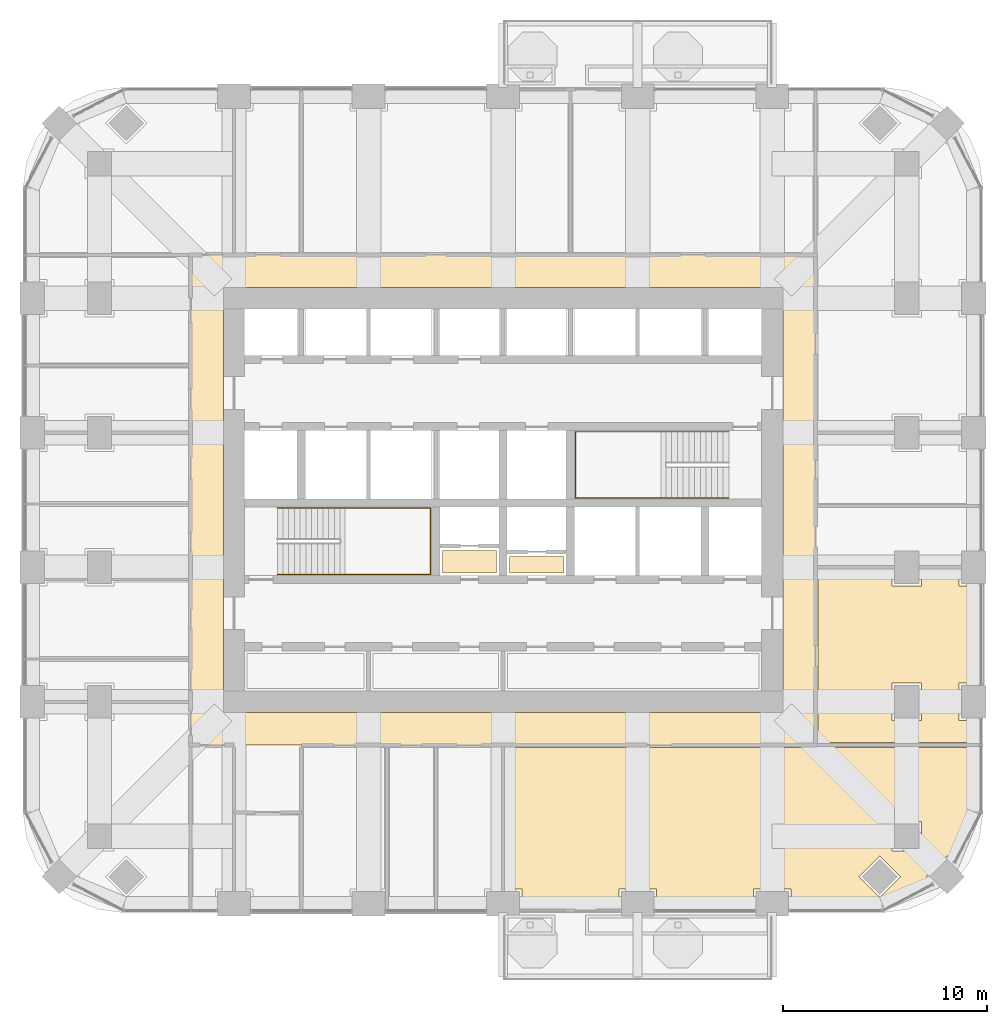
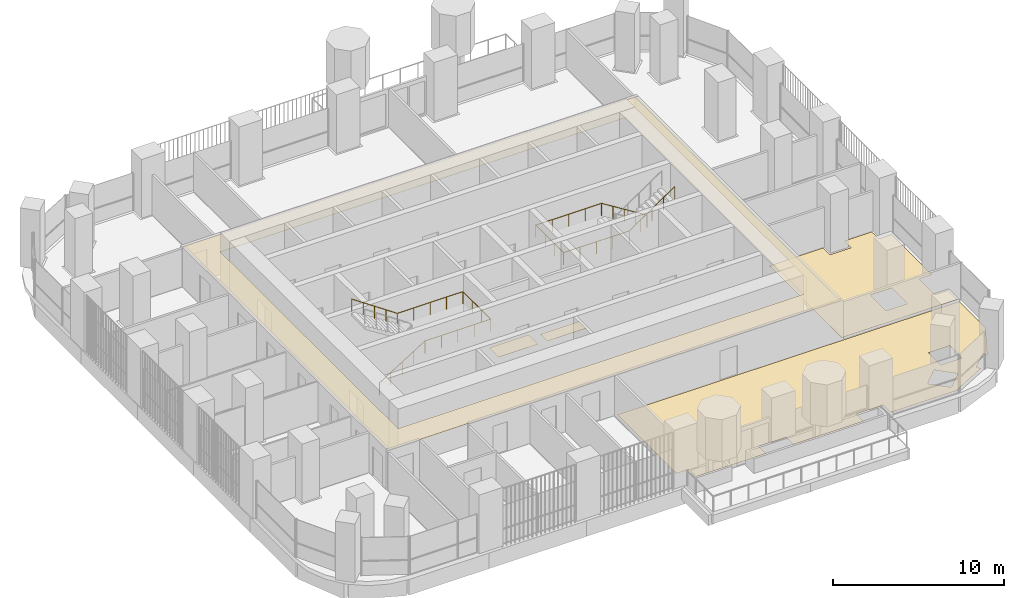
# One storey, part 17 of 19: 5 coverings, 2 railings.
"""IFC4 building model written with IfcOpenShell, lengths in metres."""

from ifc_helpers import new_model, si_unit, direction, frame, origin, place, context, subcontext, project, spatial, polyline, outline, extrude, material, layer, layer_set, type_object, element, save


model = new_model("IFC4")

# Units and contexts
model_context = context("Model", 3, precision=1e-05, world=origin(), true_north=direction((0.0, 1.0)))
body_context = subcontext(model_context, "Body", "Model", "MODEL_VIEW")
ifc_project = project(units=[si_unit("LENGTHUNIT", "METRE"), si_unit("AREAUNIT", "SQUARE_METRE"), si_unit("VOLUMEUNIT", "CUBIC_METRE"), si_unit("PLANEANGLEUNIT", "RADIAN"), si_unit("MASSUNIT", "GRAM", prefix="KILO")], contexts=[model_context])

# Site, building, storey
site_placement = place(None, origin())
site = spatial("IfcSite", under=ifc_project, at=site_placement, CompositionType="ELEMENT")
building_placement = place(site_placement, origin())
building = spatial("IfcBuilding", under=site, at=building_placement, Name="Cobogo Forest Laboratory Tower", CompositionType="ELEMENT")
storey_placement = place(building_placement, frame((0.0, 0.0, 164.10009765625)))
storey = spatial("IfcBuildingStorey", under=building, at=storey_placement, Name="L37", CompositionType="ELEMENT", Elevation=164.10009765625)

# Coverings
ifc_material_1 = material(Name="Mineral fibre ceiling tile", Category="ceiling")
ifc_layer_1 = layer(ifc_material_1, 0.02001953125)
ifc_layer_set_1 = layer_set([ifc_layer_1], Name="CL1 suspended ceiling")
covering_type_1 = type_object("IfcCoveringType", Name="CL1 suspended ceiling", PredefinedType="CEILING", material=ifc_layer_set_1)
covering_1_placement = place(storey_placement, frame((0.0, 0.0, 2.7998046875)))
element("IfcCovering", 1, at=covering_1_placement, inside=storey, type_object=covering_type_1, Name="Corridor ceiling L37", PredefinedType="CEILING", context=body_context, shape_type="SweptSolid", body=[
    extrude(outline(polyline([(11.074951171875, 11.074951171875), (11.074951171875, 35.125), (41.72509765625, 35.125), (41.72509765625, 11.074951171875), (11.074951171875, 11.074951171875)]), holes=[polyline([(40.125, 33.52490234375), (12.675048828125, 33.52490234375), (12.675048828125, 12.675048828125), (40.125, 12.675048828125), (40.125, 33.52490234375)])]), origin(), (0.0, 0.0, 1.0), 0.02001953125),
])
ifc_material_2 = material(Name="Carpet tile on raised access floor", Category="flooring")
ifc_layer_2 = layer(ifc_material_2, 0.008056640625)
ifc_layer_set_2 = layer_set([ifc_layer_2], Name="CT1 carpet tile floor 8")
covering_type_2 = type_object("IfcCoveringType", Name="CT1 carpet tile floor 8", PredefinedType="FLOORING", material=ifc_layer_set_2)
covering_2_placement = place(storey_placement, origin())
element("IfcCovering", 2, at=covering_2_placement, inside=storey, type_object=covering_type_2, Name="Carpet floor L37-07", PredefinedType="FLOORING", context=body_context, shape_type="SweptSolid", body=[
    extrude(outline(polyline([(41.844970703125, 19.679931640625), (45.47998046875, 19.679931640625), (45.47998046875, 18.8798828125), (46.919921875, 18.8798828125), (46.919921875, 19.679931640625), (48.780029296875, 19.679931640625), (48.780029296875, 18.8798828125), (49.64990234375, 18.8798828125), (49.64990234375, 14.1201171875), (48.780029296875, 14.1201171875), (48.780029296875, 12.280029296875), (49.64990234375, 12.280029296875), (49.64990234375, 11.195068359375), (41.844970703125, 11.195068359375), (41.844970703125, 19.679931640625)]), holes=[polyline([(46.919921875, 12.280029296875), (46.919921875, 14.1201171875), (45.47998046875, 14.1201171875), (45.47998046875, 12.280029296875), (46.919921875, 12.280029296875)])]), origin(), (0.0, 0.0, 1.0), 0.0078125),
])
covering_3_placement = place(storey_placement, origin())
element("IfcCovering", 3, at=covering_3_placement, inside=storey, type_object=covering_type_2, Name="Carpet floor L37-27", PredefinedType="FLOORING", context=body_context, shape_type="SweptSolid", body=[
    extrude(outline(polyline([(26.080078125, 19.52001953125), (23.419921875, 19.52001953125), (23.419921875, 20.6298828125), (26.080078125, 20.6298828125), (26.080078125, 19.52001953125)])), origin(), (0.0, 0.0, 1.0), 0.0078125),
])
covering_4_placement = place(storey_placement, origin())
element("IfcCovering", 4, at=covering_4_placement, inside=storey, type_object=covering_type_2, Name="Carpet floor L37-29", PredefinedType="FLOORING", context=body_context, shape_type="SweptSolid", body=[
    extrude(outline(polyline([(29.3798828125, 19.52001953125), (26.719970703125, 19.52001953125), (26.719970703125, 20.330078125), (29.3798828125, 20.330078125), (29.3798828125, 19.52001953125)])), origin(), (0.0, 0.0, 1.0), 0.0078125),
])

# Railings
ifc_material_3 = material(Name="Stainless steel handrail", Category="steel")
railing_type = type_object("IfcRailingType", Name="HR handrail 900", PredefinedType="HANDRAIL", material=ifc_material_3)
railing_1_placement = place(storey_placement, frame((15.324951171875, 19.449951171875, 0.1748046875)))
element("IfcRailing", 5, at=railing_1_placement, inside=storey, type_object=railing_type, Name="Stair handrail ST1 L37", PredefinedType="HANDRAIL", context=body_context, shape_type="SweptSolid", body=[
    extrude(outline(polyline([(0.022216796875, 0.00927734375), (0.00927734375, 0.022216796875), (-0.00927734375, 0.022216796875), (-0.022216796875, 0.00927734375), (-0.022216796875, -0.00927734375), (-0.00927734375, -0.022216796875), (0.00927734375, -0.022216796875), (0.022216796875, -0.00927734375), (0.022216796875, 0.00927734375)])), frame((0.0, 0.0, 0.877685546875), z_axis=(0.847998304005, 0.0, 0.529998940003), x_axis=(0.0, 1.0, 0.0)), (0.0, 0.0, 1.0), 3.632080078125),
    extrude(outline(polyline([(0.022216796875, 0.00927734375), (0.00927734375, 0.022216796875), (-0.00927734375, 0.022216796875), (-0.022216796875, 0.00927734375), (-0.022216796875, -0.00927734375), (-0.00927734375, -0.022216796875), (0.00927734375, -0.022216796875), (0.022216796875, -0.00927734375), (0.022216796875, 0.00927734375)])), frame((3.080078125, 0.0, 2.802734375), z_axis=(1.0, 0.0, 0.0), x_axis=(0.0, 1.0, 0.0)), (0.0, 0.0, 1.0), 4.445068359375),
    extrude(outline(polyline([(0.022216796875, 0.00927734375), (0.00927734375, 0.022216796875), (-0.00927734375, 0.022216796875), (-0.022216796875, 0.00927734375), (-0.022216796875, -0.00927734375), (-0.00927734375, -0.022216796875), (0.00927734375, -0.022216796875), (0.022216796875, -0.00927734375), (0.022216796875, 0.00927734375)])), frame((7.525146484375, 0.0, 2.802734375), z_axis=(0.0, 1.0, 0.0), x_axis=(-1.0, 0.0, 0.0)), (0.0, 0.0, 1.0), 3.25),
    extrude(outline(polyline([(0.022216796875, 0.00927734375), (0.00927734375, 0.022216796875), (-0.00927734375, 0.022216796875), (-0.022216796875, 0.00927734375), (-0.022216796875, -0.00927734375), (-0.00927734375, -0.022216796875), (0.00927734375, -0.022216796875), (0.022216796875, -0.00927734375), (0.022216796875, 0.00927734375)])), frame((7.525146484375, 3.25, 2.802734375), z_axis=(-1.0, 0.0, 0.0), x_axis=(0.0, -1.0, 0.0)), (0.0, 0.0, 1.0), 4.445068359375),
    extrude(outline(polyline([(0.022216796875, 0.00927734375), (0.00927734375, 0.022216796875), (-0.00927734375, 0.022216796875), (-0.022216796875, 0.00927734375), (-0.022216796875, -0.00927734375), (-0.00927734375, -0.022216796875), (0.00927734375, -0.022216796875), (0.022216796875, -0.00927734375), (0.022216796875, 0.00927734375)])), frame((3.080078125, 3.25, 2.802734375), z_axis=(-0.826221800596, 0.0, 0.563344953133), x_axis=(0.0, -1.0, 0.0)), (0.0, 0.0, 1.0), 3.72802734375),
    extrude(outline(polyline([(0.019287109375, 0.008056640625), (0.008056640625, 0.019287109375), (-0.008056640625, 0.019287109375), (-0.019287109375, 0.008056640625), (-0.019287109375, -0.008056640625), (-0.008056640625, -0.019287109375), (0.008056640625, -0.019287109375), (0.019287109375, -0.008056640625), (0.019287109375, 0.008056640625)])), origin(), (0.0, 0.0, 1.0), 0.877685546875),
    extrude(outline(polyline([(0.019287109375, 0.008056640625), (0.008056640625, 0.019287109375), (-0.008056640625, 0.019287109375), (-0.019287109375, 0.008056640625), (-0.019287109375, -0.008056640625), (-0.008056640625, -0.019287109375), (0.008056640625, -0.019287109375), (0.019287109375, -0.008056640625), (0.019287109375, 0.008056640625)])), frame((0.77001953125, 0.0, 0.481201171875)), (0.0, 0.0, 1.0), 0.877685546875),
    extrude(outline(polyline([(0.019287109375, 0.008056640625), (0.008056640625, 0.019287109375), (-0.008056640625, 0.019287109375), (-0.019287109375, 0.008056640625), (-0.019287109375, -0.008056640625), (-0.008056640625, -0.019287109375), (0.008056640625, -0.019287109375), (0.019287109375, -0.008056640625), (0.019287109375, 0.008056640625)])), frame((1.5400390625, 0.0, 0.96240234375)), (0.0, 0.0, 1.0), 0.877685546875),
    extrude(outline(polyline([(0.019287109375, 0.008056640625), (0.008056640625, 0.019287109375), (-0.008056640625, 0.019287109375), (-0.019287109375, 0.008056640625), (-0.019287109375, -0.008056640625), (-0.008056640625, -0.019287109375), (0.008056640625, -0.019287109375), (0.019287109375, -0.008056640625), (0.019287109375, 0.008056640625)])), frame((2.31005859375, 0.0, 1.44384765625)), (0.0, 0.0, 1.0), 0.877685546875),
    extrude(outline(polyline([(0.019287109375, 0.008056640625), (0.008056640625, 0.019287109375), (-0.008056640625, 0.019287109375), (-0.019287109375, 0.008056640625), (-0.019287109375, -0.008056640625), (-0.008056640625, -0.019287109375), (0.008056640625, -0.019287109375), (0.019287109375, -0.008056640625), (0.019287109375, 0.008056640625)])), frame((3.080078125, 0.0, 1.925048828125)), (0.0, 0.0, 1.0), 0.877685546875),
    extrude(outline(polyline([(0.019287109375, 0.008056640625), (0.008056640625, 0.019287109375), (-0.008056640625, 0.019287109375), (-0.019287109375, 0.008056640625), (-0.019287109375, -0.008056640625), (-0.008056640625, -0.019287109375), (0.008056640625, -0.019287109375), (0.019287109375, -0.008056640625), (0.019287109375, 0.008056640625)])), frame((4.19140625, 0.0, 1.925048828125)), (0.0, 0.0, 1.0), 0.877685546875),
    extrude(outline(polyline([(0.019287109375, 0.008056640625), (0.008056640625, 0.019287109375), (-0.008056640625, 0.019287109375), (-0.019287109375, 0.008056640625), (-0.019287109375, -0.008056640625), (-0.008056640625, -0.019287109375), (0.008056640625, -0.019287109375), (0.019287109375, -0.008056640625), (0.019287109375, 0.008056640625)])), frame((5.302734375, 0.0, 1.925048828125)), (0.0, 0.0, 1.0), 0.877685546875),
    extrude(outline(polyline([(0.019287109375, 0.008056640625), (0.008056640625, 0.019287109375), (-0.008056640625, 0.019287109375), (-0.019287109375, 0.008056640625), (-0.019287109375, -0.008056640625), (-0.008056640625, -0.019287109375), (0.008056640625, -0.019287109375), (0.019287109375, -0.008056640625), (0.019287109375, 0.008056640625)])), frame((6.413818359375, 0.0, 1.925048828125)), (0.0, 0.0, 1.0), 0.877685546875),
    extrude(outline(polyline([(0.019287109375, 0.008056640625), (0.008056640625, 0.019287109375), (-0.008056640625, 0.019287109375), (-0.019287109375, 0.008056640625), (-0.019287109375, -0.008056640625), (-0.008056640625, -0.019287109375), (0.008056640625, -0.019287109375), (0.019287109375, -0.008056640625), (0.019287109375, 0.008056640625)])), frame((7.525146484375, 0.0, 1.925048828125)), (0.0, 0.0, 1.0), 0.877685546875),
    extrude(outline(polyline([(0.019287109375, 0.008056640625), (0.008056640625, 0.019287109375), (-0.008056640625, 0.019287109375), (-0.019287109375, 0.008056640625), (-0.019287109375, -0.008056640625), (-0.008056640625, -0.019287109375), (0.008056640625, -0.019287109375), (0.019287109375, -0.008056640625), (0.019287109375, 0.008056640625)])), frame((7.525146484375, 1.083251953125, 1.925048828125)), (0.0, 0.0, 1.0), 0.877685546875),
    extrude(outline(polyline([(0.019287109375, 0.008056640625), (0.008056640625, 0.019287109375), (-0.008056640625, 0.019287109375), (-0.019287109375, 0.008056640625), (-0.019287109375, -0.008056640625), (-0.008056640625, -0.019287109375), (0.008056640625, -0.019287109375), (0.019287109375, -0.008056640625), (0.019287109375, 0.008056640625)])), frame((7.525146484375, 2.166748046875, 1.925048828125)), (0.0, 0.0, 1.0), 0.877685546875),
    extrude(outline(polyline([(0.019287109375, 0.008056640625), (0.008056640625, 0.019287109375), (-0.008056640625, 0.019287109375), (-0.019287109375, 0.008056640625), (-0.019287109375, -0.008056640625), (-0.008056640625, -0.019287109375), (0.008056640625, -0.019287109375), (0.019287109375, -0.008056640625), (0.019287109375, 0.008056640625)])), frame((7.525146484375, 3.25, 1.925048828125)), (0.0, 0.0, 1.0), 0.877685546875),
    extrude(outline(polyline([(0.019287109375, 0.008056640625), (0.008056640625, 0.019287109375), (-0.008056640625, 0.019287109375), (-0.019287109375, 0.008056640625), (-0.019287109375, -0.008056640625), (-0.008056640625, -0.019287109375), (0.008056640625, -0.019287109375), (0.019287109375, -0.008056640625), (0.019287109375, 0.008056640625)])), frame((6.413818359375, 3.25, 1.925048828125)), (0.0, 0.0, 1.0), 0.877685546875),
    extrude(outline(polyline([(0.019287109375, 0.008056640625), (0.008056640625, 0.019287109375), (-0.008056640625, 0.019287109375), (-0.019287109375, 0.008056640625), (-0.019287109375, -0.008056640625), (-0.008056640625, -0.019287109375), (0.008056640625, -0.019287109375), (0.019287109375, -0.008056640625), (0.019287109375, 0.008056640625)])), frame((5.302734375, 3.25, 1.925048828125)), (0.0, 0.0, 1.0), 0.877685546875),
    extrude(outline(polyline([(0.019287109375, 0.008056640625), (0.008056640625, 0.019287109375), (-0.008056640625, 0.019287109375), (-0.019287109375, 0.008056640625), (-0.019287109375, -0.008056640625), (-0.008056640625, -0.019287109375), (0.008056640625, -0.019287109375), (0.019287109375, -0.008056640625), (0.019287109375, 0.008056640625)])), frame((4.19140625, 3.25, 1.925048828125)), (0.0, 0.0, 1.0), 0.877685546875),
    extrude(outline(polyline([(0.019287109375, 0.008056640625), (0.008056640625, 0.019287109375), (-0.008056640625, 0.019287109375), (-0.019287109375, 0.008056640625), (-0.019287109375, -0.008056640625), (-0.008056640625, -0.019287109375), (0.008056640625, -0.019287109375), (0.019287109375, -0.008056640625), (0.019287109375, 0.008056640625)])), frame((3.080078125, 3.25, 1.925048828125)), (0.0, 0.0, 1.0), 0.877685546875),
    extrude(outline(polyline([(0.019287109375, 0.008056640625), (0.008056640625, 0.019287109375), (-0.008056640625, 0.019287109375), (-0.019287109375, 0.008056640625), (-0.019287109375, -0.008056640625), (-0.008056640625, -0.019287109375), (0.008056640625, -0.019287109375), (0.019287109375, -0.008056640625), (0.019287109375, 0.008056640625)])), frame((2.31005859375, 3.25, 2.4501953125)), (0.0, 0.0, 1.0), 0.877685546875),
    extrude(outline(polyline([(0.019287109375, 0.008056640625), (0.008056640625, 0.019287109375), (-0.008056640625, 0.019287109375), (-0.019287109375, 0.008056640625), (-0.019287109375, -0.008056640625), (-0.008056640625, -0.019287109375), (0.008056640625, -0.019287109375), (0.019287109375, -0.008056640625), (0.019287109375, 0.008056640625)])), frame((1.5400390625, 3.25, 2.97509765625)), (0.0, 0.0, 1.0), 0.877685546875),
    extrude(outline(polyline([(0.019287109375, 0.008056640625), (0.008056640625, 0.019287109375), (-0.008056640625, 0.019287109375), (-0.019287109375, 0.008056640625), (-0.019287109375, -0.008056640625), (-0.008056640625, -0.019287109375), (0.008056640625, -0.019287109375), (0.019287109375, -0.008056640625), (0.019287109375, 0.008056640625)])), frame((0.77001953125, 3.25, 3.5)), (0.0, 0.0, 1.0), 0.877685546875),
    extrude(outline(polyline([(0.019287109375, 0.008056640625), (0.008056640625, 0.019287109375), (-0.008056640625, 0.019287109375), (-0.019287109375, 0.008056640625), (-0.019287109375, -0.008056640625), (-0.008056640625, -0.019287109375), (0.008056640625, -0.019287109375), (0.019287109375, -0.008056640625), (0.019287109375, 0.008056640625)])), frame((0.0, 3.25, 4.025146484375)), (0.0, 0.0, 1.0), 0.877685546875),
])
railing_2_placement = place(storey_placement, frame((37.47509765625, 26.449951171875, 0.1748046875)))
element("IfcRailing", 6, at=railing_2_placement, inside=storey, type_object=railing_type, Name="Stair handrail ST2 L37", PredefinedType="HANDRAIL", context=body_context, shape_type="SweptSolid", body=[
    extrude(outline(polyline([(0.022216796875, 0.00927734375), (0.00927734375, 0.022216796875), (-0.00927734375, 0.022216796875), (-0.022216796875, 0.00927734375), (-0.022216796875, -0.00927734375), (-0.00927734375, -0.022216796875), (0.00927734375, -0.022216796875), (0.022216796875, -0.00927734375), (0.022216796875, 0.00927734375)])), frame((0.0, 0.0, 0.877685546875), z_axis=(-0.847998304005, 0.0, 0.529998940003), x_axis=(0.0, -1.0, 0.0)), (0.0, 0.0, 1.0), 3.632080078125),
    extrude(outline(polyline([(0.022216796875, 0.00927734375), (0.00927734375, 0.022216796875), (-0.00927734375, 0.022216796875), (-0.022216796875, 0.00927734375), (-0.022216796875, -0.00927734375), (-0.00927734375, -0.022216796875), (0.00927734375, -0.022216796875), (0.022216796875, -0.00927734375), (0.022216796875, 0.00927734375)])), frame((-3.080078125, 0.0, 2.802734375), z_axis=(-1.0, 0.0, 0.0), x_axis=(0.0, -1.0, 0.0)), (0.0, 0.0, 1.0), 4.445068359375),
    extrude(outline(polyline([(0.022216796875, 0.00927734375), (0.00927734375, 0.022216796875), (-0.00927734375, 0.022216796875), (-0.022216796875, 0.00927734375), (-0.022216796875, -0.00927734375), (-0.00927734375, -0.022216796875), (0.00927734375, -0.022216796875), (0.022216796875, -0.00927734375), (0.022216796875, 0.00927734375)])), frame((-7.525146484375, 0.0, 2.802734375), z_axis=(0.0, -1.0, 0.0), x_axis=(1.0, 0.0, 0.0)), (0.0, 0.0, 1.0), 3.25),
    extrude(outline(polyline([(0.022216796875, 0.00927734375), (0.00927734375, 0.022216796875), (-0.00927734375, 0.022216796875), (-0.022216796875, 0.00927734375), (-0.022216796875, -0.00927734375), (-0.00927734375, -0.022216796875), (0.00927734375, -0.022216796875), (0.022216796875, -0.00927734375), (0.022216796875, 0.00927734375)])), frame((-7.525146484375, -3.25, 2.802734375), z_axis=(1.0, 0.0, 0.0), x_axis=(0.0, 1.0, 0.0)), (0.0, 0.0, 1.0), 4.445068359375),
    extrude(outline(polyline([(0.022216796875, 0.00927734375), (0.00927734375, 0.022216796875), (-0.00927734375, 0.022216796875), (-0.022216796875, 0.00927734375), (-0.022216796875, -0.00927734375), (-0.00927734375, -0.022216796875), (0.00927734375, -0.022216796875), (0.022216796875, -0.00927734375), (0.022216796875, 0.00927734375)])), frame((-3.080078125, -3.25, 2.802734375), z_axis=(0.826221800596, 0.0, 0.563344953133), x_axis=(0.0, 1.0, 0.0)), (0.0, 0.0, 1.0), 3.72802734375),
    extrude(outline(polyline([(0.019287109375, 0.008056640625), (0.008056640625, 0.019287109375), (-0.008056640625, 0.019287109375), (-0.019287109375, 0.008056640625), (-0.019287109375, -0.008056640625), (-0.008056640625, -0.019287109375), (0.008056640625, -0.019287109375), (0.019287109375, -0.008056640625), (0.019287109375, 0.008056640625)])), origin(), (0.0, 0.0, 1.0), 0.877685546875),
    extrude(outline(polyline([(0.019287109375, 0.008056640625), (0.008056640625, 0.019287109375), (-0.008056640625, 0.019287109375), (-0.019287109375, 0.008056640625), (-0.019287109375, -0.008056640625), (-0.008056640625, -0.019287109375), (0.008056640625, -0.019287109375), (0.019287109375, -0.008056640625), (0.019287109375, 0.008056640625)])), frame((-0.77001953125, 0.0, 0.481201171875)), (0.0, 0.0, 1.0), 0.877685546875),
    extrude(outline(polyline([(0.019287109375, 0.008056640625), (0.008056640625, 0.019287109375), (-0.008056640625, 0.019287109375), (-0.019287109375, 0.008056640625), (-0.019287109375, -0.008056640625), (-0.008056640625, -0.019287109375), (0.008056640625, -0.019287109375), (0.019287109375, -0.008056640625), (0.019287109375, 0.008056640625)])), frame((-1.5400390625, 0.0, 0.96240234375)), (0.0, 0.0, 1.0), 0.877685546875),
    extrude(outline(polyline([(0.019287109375, 0.008056640625), (0.008056640625, 0.019287109375), (-0.008056640625, 0.019287109375), (-0.019287109375, 0.008056640625), (-0.019287109375, -0.008056640625), (-0.008056640625, -0.019287109375), (0.008056640625, -0.019287109375), (0.019287109375, -0.008056640625), (0.019287109375, 0.008056640625)])), frame((-2.31005859375, 0.0, 1.44384765625)), (0.0, 0.0, 1.0), 0.877685546875),
    extrude(outline(polyline([(0.019287109375, 0.008056640625), (0.008056640625, 0.019287109375), (-0.008056640625, 0.019287109375), (-0.019287109375, 0.008056640625), (-0.019287109375, -0.008056640625), (-0.008056640625, -0.019287109375), (0.008056640625, -0.019287109375), (0.019287109375, -0.008056640625), (0.019287109375, 0.008056640625)])), frame((-3.080078125, 0.0, 1.925048828125)), (0.0, 0.0, 1.0), 0.877685546875),
    extrude(outline(polyline([(0.019287109375, 0.008056640625), (0.008056640625, 0.019287109375), (-0.008056640625, 0.019287109375), (-0.019287109375, 0.008056640625), (-0.019287109375, -0.008056640625), (-0.008056640625, -0.019287109375), (0.008056640625, -0.019287109375), (0.019287109375, -0.008056640625), (0.019287109375, 0.008056640625)])), frame((-4.19140625, 0.0, 1.925048828125)), (0.0, 0.0, 1.0), 0.877685546875),
    extrude(outline(polyline([(0.019287109375, 0.008056640625), (0.008056640625, 0.019287109375), (-0.008056640625, 0.019287109375), (-0.019287109375, 0.008056640625), (-0.019287109375, -0.008056640625), (-0.008056640625, -0.019287109375), (0.008056640625, -0.019287109375), (0.019287109375, -0.008056640625), (0.019287109375, 0.008056640625)])), frame((-5.302734375, 0.0, 1.925048828125)), (0.0, 0.0, 1.0), 0.877685546875),
    extrude(outline(polyline([(0.019287109375, 0.008056640625), (0.008056640625, 0.019287109375), (-0.008056640625, 0.019287109375), (-0.019287109375, 0.008056640625), (-0.019287109375, -0.008056640625), (-0.008056640625, -0.019287109375), (0.008056640625, -0.019287109375), (0.019287109375, -0.008056640625), (0.019287109375, 0.008056640625)])), frame((-6.413818359375, 0.0, 1.925048828125)), (0.0, 0.0, 1.0), 0.877685546875),
    extrude(outline(polyline([(0.019287109375, 0.008056640625), (0.008056640625, 0.019287109375), (-0.008056640625, 0.019287109375), (-0.019287109375, 0.008056640625), (-0.019287109375, -0.008056640625), (-0.008056640625, -0.019287109375), (0.008056640625, -0.019287109375), (0.019287109375, -0.008056640625), (0.019287109375, 0.008056640625)])), frame((-7.525146484375, 0.0, 1.925048828125)), (0.0, 0.0, 1.0), 0.877685546875),
    extrude(outline(polyline([(0.019287109375, 0.008056640625), (0.008056640625, 0.019287109375), (-0.008056640625, 0.019287109375), (-0.019287109375, 0.008056640625), (-0.019287109375, -0.008056640625), (-0.008056640625, -0.019287109375), (0.008056640625, -0.019287109375), (0.019287109375, -0.008056640625), (0.019287109375, 0.008056640625)])), frame((-7.525146484375, -1.083251953125, 1.925048828125)), (0.0, 0.0, 1.0), 0.877685546875),
    extrude(outline(polyline([(0.019287109375, 0.008056640625), (0.008056640625, 0.019287109375), (-0.008056640625, 0.019287109375), (-0.019287109375, 0.008056640625), (-0.019287109375, -0.008056640625), (-0.008056640625, -0.019287109375), (0.008056640625, -0.019287109375), (0.019287109375, -0.008056640625), (0.019287109375, 0.008056640625)])), frame((-7.525146484375, -2.166748046875, 1.925048828125)), (0.0, 0.0, 1.0), 0.877685546875),
    extrude(outline(polyline([(0.019287109375, 0.008056640625), (0.008056640625, 0.019287109375), (-0.008056640625, 0.019287109375), (-0.019287109375, 0.008056640625), (-0.019287109375, -0.008056640625), (-0.008056640625, -0.019287109375), (0.008056640625, -0.019287109375), (0.019287109375, -0.008056640625), (0.019287109375, 0.008056640625)])), frame((-7.525146484375, -3.25, 1.925048828125)), (0.0, 0.0, 1.0), 0.877685546875),
    extrude(outline(polyline([(0.019287109375, 0.008056640625), (0.008056640625, 0.019287109375), (-0.008056640625, 0.019287109375), (-0.019287109375, 0.008056640625), (-0.019287109375, -0.008056640625), (-0.008056640625, -0.019287109375), (0.008056640625, -0.019287109375), (0.019287109375, -0.008056640625), (0.019287109375, 0.008056640625)])), frame((-6.413818359375, -3.25, 1.925048828125)), (0.0, 0.0, 1.0), 0.877685546875),
    extrude(outline(polyline([(0.019287109375, 0.008056640625), (0.008056640625, 0.019287109375), (-0.008056640625, 0.019287109375), (-0.019287109375, 0.008056640625), (-0.019287109375, -0.008056640625), (-0.008056640625, -0.019287109375), (0.008056640625, -0.019287109375), (0.019287109375, -0.008056640625), (0.019287109375, 0.008056640625)])), frame((-5.302734375, -3.25, 1.925048828125)), (0.0, 0.0, 1.0), 0.877685546875),
    extrude(outline(polyline([(0.019287109375, 0.008056640625), (0.008056640625, 0.019287109375), (-0.008056640625, 0.019287109375), (-0.019287109375, 0.008056640625), (-0.019287109375, -0.008056640625), (-0.008056640625, -0.019287109375), (0.008056640625, -0.019287109375), (0.019287109375, -0.008056640625), (0.019287109375, 0.008056640625)])), frame((-4.19140625, -3.25, 1.925048828125)), (0.0, 0.0, 1.0), 0.877685546875),
    extrude(outline(polyline([(0.019287109375, 0.008056640625), (0.008056640625, 0.019287109375), (-0.008056640625, 0.019287109375), (-0.019287109375, 0.008056640625), (-0.019287109375, -0.008056640625), (-0.008056640625, -0.019287109375), (0.008056640625, -0.019287109375), (0.019287109375, -0.008056640625), (0.019287109375, 0.008056640625)])), frame((-3.080078125, -3.25, 1.925048828125)), (0.0, 0.0, 1.0), 0.877685546875),
    extrude(outline(polyline([(0.019287109375, 0.008056640625), (0.008056640625, 0.019287109375), (-0.008056640625, 0.019287109375), (-0.019287109375, 0.008056640625), (-0.019287109375, -0.008056640625), (-0.008056640625, -0.019287109375), (0.008056640625, -0.019287109375), (0.019287109375, -0.008056640625), (0.019287109375, 0.008056640625)])), frame((-2.31005859375, -3.25, 2.4501953125)), (0.0, 0.0, 1.0), 0.877685546875),
    extrude(outline(polyline([(0.019287109375, 0.008056640625), (0.008056640625, 0.019287109375), (-0.008056640625, 0.019287109375), (-0.019287109375, 0.008056640625), (-0.019287109375, -0.008056640625), (-0.008056640625, -0.019287109375), (0.008056640625, -0.019287109375), (0.019287109375, -0.008056640625), (0.019287109375, 0.008056640625)])), frame((-1.5400390625, -3.25, 2.97509765625)), (0.0, 0.0, 1.0), 0.877685546875),
    extrude(outline(polyline([(0.019287109375, 0.008056640625), (0.008056640625, 0.019287109375), (-0.008056640625, 0.019287109375), (-0.019287109375, 0.008056640625), (-0.019287109375, -0.008056640625), (-0.008056640625, -0.019287109375), (0.008056640625, -0.019287109375), (0.019287109375, -0.008056640625), (0.019287109375, 0.008056640625)])), frame((-0.77001953125, -3.25, 3.5)), (0.0, 0.0, 1.0), 0.877685546875),
    extrude(outline(polyline([(0.019287109375, 0.008056640625), (0.008056640625, 0.019287109375), (-0.008056640625, 0.019287109375), (-0.019287109375, 0.008056640625), (-0.019287109375, -0.008056640625), (-0.008056640625, -0.019287109375), (0.008056640625, -0.019287109375), (0.019287109375, -0.008056640625), (0.019287109375, 0.008056640625)])), frame((0.0, -3.25, 4.025146484375)), (0.0, 0.0, 1.0), 0.877685546875),
])

# Covering
ifc_material_4 = material(Name="Static-dissipative vinyl flooring", Category="flooring")
ifc_layer_3 = layer(ifc_material_4, 0.0029296875)
ifc_layer_set_3 = layer_set([ifc_layer_3], Name="SD1 static-dissipative vinyl floor 3")
covering_type_3 = type_object("IfcCoveringType", Name="SD1 static-dissipative vinyl floor 3", PredefinedType="FLOORING", material=ifc_layer_set_3)
covering_5_placement = place(storey_placement, origin())
element("IfcCovering", 7, at=covering_5_placement, inside=storey, type_object=covering_type_3, Name="Static-dissipative floor L37-06", PredefinedType="FLOORING", context=body_context, shape_type="SweptSolid", body=[
    extrude(outline(polyline([(49.64990234375, 10.955078125), (49.64990234375, 7.84912109375), (48.384033203125, 5.434326171875), (48.181884765625, 5.63623046875), (47.163818359375, 4.617919921875), (47.36572265625, 4.416015625), (44.95068359375, 3.14990234375), (40.52001953125, 3.14990234375), (40.52001953125, 4.02001953125), (38.679931640625, 4.02001953125), (38.679931640625, 3.14990234375), (33.919921875, 3.14990234375), (33.919921875, 4.02001953125), (32.080078125, 4.02001953125), (32.080078125, 3.14990234375), (27.320068359375, 3.14990234375), (27.320068359375, 4.02001953125), (26.52001953125, 4.02001953125), (26.52001953125, 10.955078125), (49.64990234375, 10.955078125)]), holes=[polyline([(45.47998046875, 5.8798828125), (46.919921875, 5.8798828125), (46.919921875, 7.320068359375), (45.47998046875, 7.320068359375), (45.47998046875, 5.8798828125)]), polyline([(44.882080078125, 3.599853515625), (45.900146484375, 4.617919921875), (44.882080078125, 5.63623046875), (43.86376953125, 4.617919921875), (44.882080078125, 3.599853515625)])]), origin(), (0.0, 0.0, 1.0), 0.0029296875),
])

save(model, "model.ifc")
